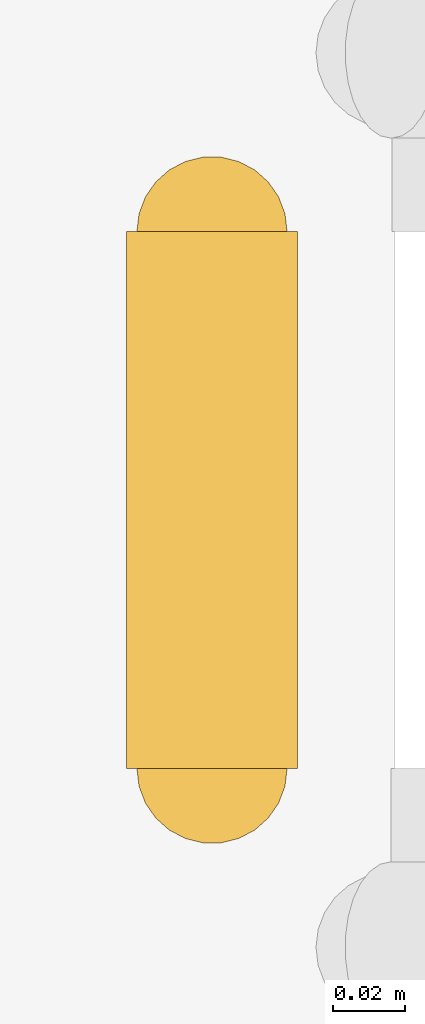
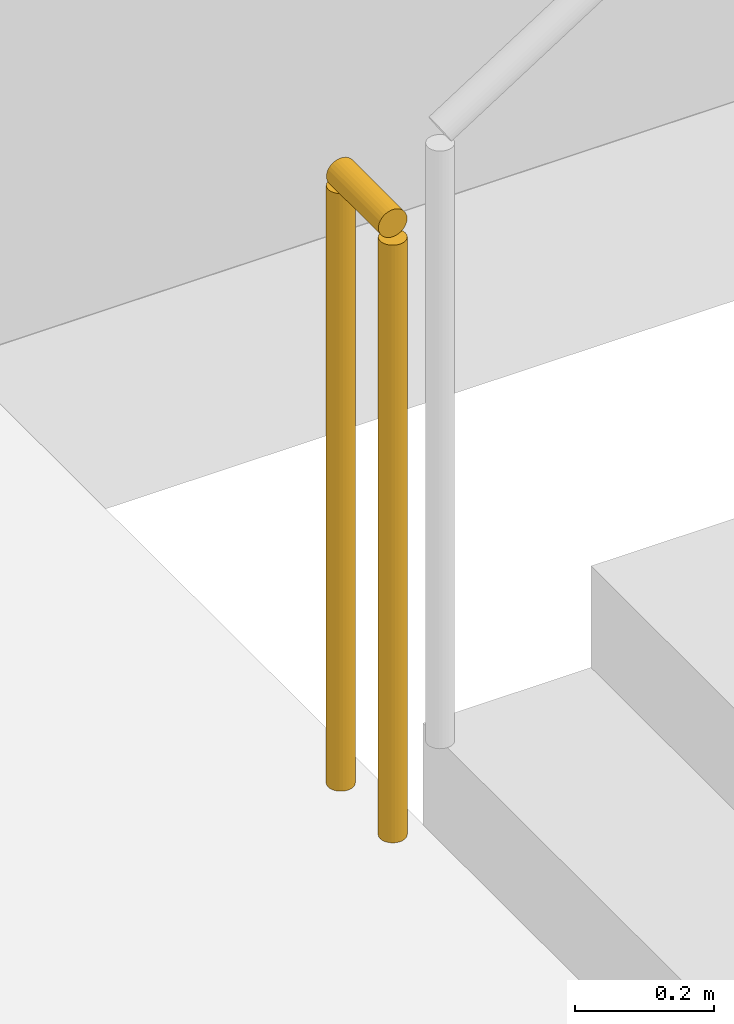
# One storey, part 8 of 11: 1 railing.
"""IFC4 building model written with IfcOpenShell, lengths in metres."""

from ifc_helpers import new_model, si_unit, direction, frame, origin, origin_2d, place, context, subcontext, project, spatial, circle, extrude, material, type_object, element, save


model = new_model("IFC4")

# Units and contexts
model_context = context("Model", 3, precision=1e-05, world=origin(), true_north=direction((0.0, 1.0)))
body_context = subcontext(model_context, "Body", "Model", "MODEL_VIEW")
ifc_project = project(units=[si_unit("LENGTHUNIT", "METRE"), si_unit("AREAUNIT", "SQUARE_METRE"), si_unit("VOLUMEUNIT", "CUBIC_METRE"), si_unit("PLANEANGLEUNIT", "RADIAN"), si_unit("MASSUNIT", "GRAM", prefix="KILO")], contexts=[model_context])

# Site, building, storey
site_placement = place(None, origin())
site = spatial("IfcSite", under=ifc_project, at=site_placement, CompositionType="ELEMENT")
building_placement = place(site_placement, origin())
building = spatial("IfcBuilding", under=site, at=building_placement, Name="Ostrand Prow Hotel Tower", CompositionType="ELEMENT")
storey_placement = place(building_placement, frame((0.0, 0.0, 19.0)))
storey = spatial("IfcBuildingStorey", under=building, at=storey_placement, Name="L03", CompositionType="ELEMENT", Elevation=19.0)

# Railing
ifc_material = material(Name="Painted steel", Category="steel")
railing_type = type_object("IfcRailingType", Name="Stair guard 1100", PredefinedType="GUARDRAIL", material=ifc_material)
railing_placement = place(storey_placement, frame((57.14990234375, -11.699951171875, 0.0)))
element("IfcRailing", 1, at=railing_placement, inside=storey, type_object=railing_type, Name="L03 ST2B stair guard 4", PredefinedType="GUARDRAIL", context=body_context, shape_type="SweptSolid", body=[
    extrude(circle(Radius=0.02392578125, at=origin_2d()), frame((0.0, 0.0, 1.076171875), z_axis=(0.0, 1.0, 0.0), x_axis=(-1.0, 0.0, 0.0)), (0.0, 0.0, 1.0), 0.14990234375),
    extrude(circle(Radius=0.02099609375, at=origin_2d()), origin(), (0.0, 0.0, 1.0), 1.052001953125),
    extrude(circle(Radius=0.02099609375, at=origin_2d()), frame((0.0, 0.14990234375, 0.0)), (0.0, 0.0, 1.0), 1.052001953125),
])

save(model, "model.ifc")
